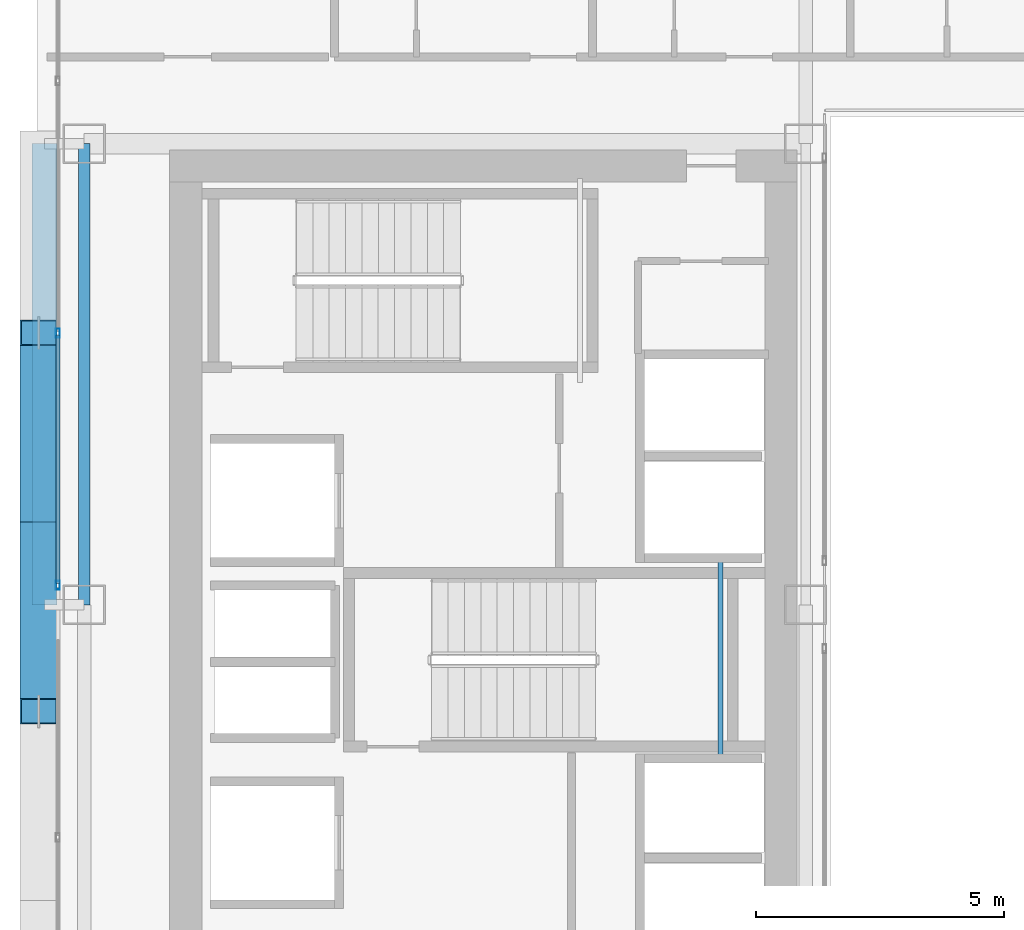
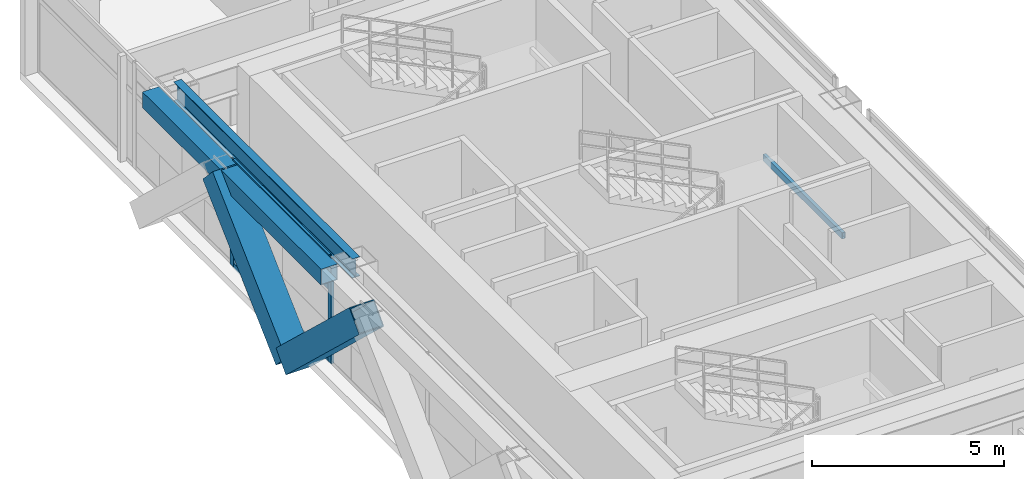
# One storey, part 9 of 39: 7 members, 3 beams, 1 element without a shape of its own.
"""IFC4 building model written with IfcOpenShell, lengths in metres."""

from ifc_helpers import new_model, si_unit, direction, frame, origin, origin_2d, place, context, subcontext, project, spatial, hollow_rectangle, i_section, extrude, source, transform, mapped, material, layer, layer_set, material_profile, profile_set, type_object, element, aggregate, save


model = new_model("IFC4")

# Units and contexts
model_context = context("Model", 3, precision=1e-05, world=origin(), true_north=direction((0.0, 1.0)))
body_context = subcontext(model_context, "Body", "Model", "MODEL_VIEW")
ifc_project = project(units=[si_unit("LENGTHUNIT", "METRE"), si_unit("AREAUNIT", "SQUARE_METRE"), si_unit("VOLUMEUNIT", "CUBIC_METRE"), si_unit("PLANEANGLEUNIT", "RADIAN"), si_unit("MASSUNIT", "GRAM", prefix="KILO")], contexts=[model_context])

# Site, building, storey
site_placement = place(None, origin())
site = spatial("IfcSite", under=ifc_project, at=site_placement, CompositionType="ELEMENT")
building_placement = place(site_placement, origin())
building = spatial("IfcBuilding", under=site, at=building_placement, Name="Ocotamira Hotel", CompositionType="ELEMENT")
storey_placement = place(building_placement, frame((0.0, 0.0, 104.39990234375)))
storey = spatial("IfcBuildingStorey", under=building, at=storey_placement, Name="L25", CompositionType="ELEMENT", Elevation=104.39990234375)

# Beams
ifc_material_1 = material(Name="Steel ASTM A500 Grade C", Category="steel")
ifc_material_profile_1 = material_profile(ifc_material_1, hollow_rectangle(XDim=0.10009765625, YDim=0.199951171875, WallThickness=0.008056640625, at=origin_2d()), Name="HSS200X100X8")
ifc_profile_set_1 = profile_set([ifc_material_profile_1], Name="Steel ASTM A500 Grade C")
beam_type_1 = type_object("IfcBeamType", Name="BM-STLDG-HSS200", PredefinedType="BEAM", material=ifc_profile_set_1)
shared_shape_1 = source(origin(), body_context, "Body", "SweptSolid", [
    extrude(hollow_rectangle(XDim=0.10009765625, YDim=0.199951171875, WallThickness=0.008056640625, at=origin_2d()), origin(), (0.0, 0.0, 1.0), 4.1201171875),
])
beam_1_placement = place(storey_placement, frame((21.780029296875, 24.97998046875, 1.5), z_axis=(0.0, 1.0, 0.0), x_axis=(-1.0, 0.0, 0.0)))
element("IfcBeam", 1, at=beam_1_placement, inside=storey, type_object=beam_type_1, Name="L25 Stair ST-3 Landing Bearer 1", PredefinedType="BEAM", context=body_context, shape_type="MappedRepresentation", body=[
    mapped(shared_shape_1, transform((0.0, 0.0, 0.0), scale=1.0)),
])
ifc_material_2 = material(Name="Steel ASTM A992 Grade 50", Category="steel")
ifc_material_profile_2 = material_profile(ifc_material_2, i_section(OverallWidth=0.22998046875, OverallDepth=0.616943359375, WebThickness=0.01318359375, FlangeThickness=0.022216796875, FilletRadius=0.012939453125, at=origin_2d()), Name="W24X94")
ifc_profile_set_2 = profile_set([ifc_material_profile_2], Name="Steel ASTM A992 Grade 50")
beam_type_2 = type_object("IfcBeamType", Name="BM-PRIM-W24X94", PredefinedType="BEAM", material=ifc_profile_set_2)
shared_shape_2 = source(origin(), body_context, "Body", "SweptSolid", [
    extrude(i_section(OverallWidth=0.22998046875, OverallDepth=0.616943359375, WebThickness=0.01318359375, FlangeThickness=0.022216796875, FilletRadius=0.012939453125, at=origin_2d()), origin(), (0.0, 0.0, 1.0), 9.300048828125),
])
beam_2_placement = place(storey_placement, frame((8.949951171875, 28.14990234375, 3.051513671875), z_axis=(0.0, 1.0, 0.0), x_axis=(-1.0, 0.0, 0.0)))
element("IfcBeam", 2, at=beam_2_placement, inside=storey, type_object=beam_type_2, Name="L25 Beam X8.95 Y28.15-37.45", PredefinedType="BEAM", context=body_context, shape_type="MappedRepresentation", body=[
    mapped(shared_shape_2, transform((0.0, 0.0, 0.0), scale=1.0)),
])
ifc_material_profile_3 = material_profile(ifc_material_1, hollow_rectangle(XDim=0.5, YDim=0.5, WallThickness=0.02001953125, at=origin_2d()), Name="HSS500X500X20")
ifc_profile_set_3 = profile_set([ifc_material_profile_3], Name="Steel ASTM A500 Grade C")
beam_type_3 = type_object("IfcBeamType", Name="BM-SPAN-HSS500", PredefinedType="USERDEFINED", material=ifc_profile_set_3)
shared_shape_3 = source(origin(), body_context, "Body", "SweptSolid", [
    extrude(hollow_rectangle(XDim=0.5, YDim=0.5, WallThickness=0.02001953125, at=origin_2d()), origin(), (0.0, 0.0, 1.0), 9.300048828125),
])
beam_3_placement = place(storey_placement, frame((8.14990234375, 28.14990234375, 3.110107421875), z_axis=(0.0, 1.0, 0.0), x_axis=(-1.0, 0.0, 0.0)))
element("IfcBeam", 3, at=beam_3_placement, inside=storey, type_object=beam_type_3, Name="L25 Edge Spandrel W Y28.15-37.45", ObjectType="SPANDREL", PredefinedType="USERDEFINED", context=body_context, shape_type="MappedRepresentation", body=[
    mapped(shared_shape_3, transform((0.0, 0.0, 0.0), scale=1.0)),
])

# Members
ifc_material_3 = material(Name="Pale-metal coated steel ASTM A913 Grade 65", Category="steel")
ifc_material_profile_4 = material_profile(ifc_material_3, hollow_rectangle(XDim=0.75, YDim=0.75, WallThickness=0.028076171875, at=origin_2d()), Name="BOX750X750X28")
ifc_profile_set_4 = profile_set([ifc_material_profile_4], Name="Pale-metal coated steel ASTM A913 Grade 65")
member_type_1 = type_object("IfcMemberType", Name="MEM-EXO-BOX750", PredefinedType="BRACE", material=ifc_profile_set_4)
shared_shape_4 = source(origin(), body_context, "Body", "SweptSolid", [
    extrude(hollow_rectangle(XDim=0.75, YDim=0.75, WallThickness=0.028076171875, at=origin_2d()), origin(), (0.0, 0.0, 1.0), 5.24658203125),
])
for number, where, z_axis, x_axis, name in (
    (4, (8.030029296875, 29.816650390625, -0.489990234375), (0.0, -0.727442733726, 0.686168397078), (1.0, 0.0, 0.0), "L25 Exoskeleton Diagrid W1.2"),
    (5, (8.030029296875, 29.816650390625, -0.489990234375), (0.0, 0.727442733726, 0.686168397078), (-1.0, 0.0, 0.0), "L25 Exoskeleton Diagrid W2.1"),
):
    element("IfcMember", number, at=place(storey_placement, frame(where, z_axis=z_axis, x_axis=x_axis)), inside=storey, type_object=member_type_1, Name=name, PredefinedType="BRACE", context=body_context, shape_type="MappedRepresentation", body=[
        mapped(shared_shape_4, transform((0.0, 0.0, 0.0), scale=1.0)),
    ])

# Curtain wall, members
ifc_material_4 = material(Name="Anodised pale-metal aluminium and solar glass", Category="aluminium")
ifc_layer = layer(ifc_material_4, 0.179931640625)
ifc_layer_set = layer_set([ifc_layer], Name="Anodised pale-metal aluminium and solar glass")
curtain_wall_type = type_object("IfcCurtainWallType", Name="CW-SYS3-Z2", PredefinedType="NOTDEFINED", material=ifc_layer_set)
curtain_wall_placement = place(storey_placement, origin())
curtain_wall = element("IfcCurtainWall", 6, at=curtain_wall_placement, inside=storey, type_object=curtain_wall_type, Name="L25 Curtain Wall CW-3 CW-L25-W", PredefinedType="NOTDEFINED")
ifc_material_5 = material(Name="Anodised pale-metal aluminium 6063-T6", Category="aluminium")
ifc_material_profile_5 = material_profile(ifc_material_5, hollow_rectangle(XDim=0.074951171875, YDim=0.14990234375, WallThickness=0.006103515625, at=origin_2d()), Name="HSS150X75X6")
ifc_profile_set_5 = profile_set([ifc_material_profile_5], Name="Anodised pale-metal aluminium 6063-T6")
member_type_2 = type_object("IfcMemberType", Name="CWT-150X75", PredefinedType="USERDEFINED", material=ifc_profile_set_5)
shared_shape_5 = source(origin(), body_context, "Body", "SweptSolid", [
    extrude(hollow_rectangle(XDim=0.074951171875, YDim=0.14990234375, WallThickness=0.006103515625, at=origin_2d()), origin(), (0.0, 0.0, 1.0), 5.005859375),
])
member_1_placement = place(storey_placement, frame((8.419921875, 28.582763671875, 0.03759765625), z_axis=(0.0, 1.0, 0.0), x_axis=(-1.0, 0.0, 0.0)))
member_1 = element("IfcMember", 7, at=member_1_placement, type_object=member_type_2, Name="CW-3 transom 5.1", ObjectType="TRANSOM", PredefinedType="USERDEFINED", context=body_context, shape_type="MappedRepresentation", body=[
    mapped(shared_shape_5, transform((0.0, 0.0, 0.0), scale=1.0)),
])
member_2_placement = place(storey_placement, frame((8.419921875, 28.582763671875, 2.35009765625), z_axis=(0.0, 1.0, 0.0), x_axis=(-1.0, 0.0, 0.0)))
member_2 = element("IfcMember", 8, at=member_2_placement, type_object=member_type_2, Name="CW-3 transom 5.2", ObjectType="TRANSOM", PredefinedType="USERDEFINED", context=body_context, shape_type="MappedRepresentation", body=[
    mapped(shared_shape_5, transform((0.0, 0.0, 0.0), scale=1.0)),
])
member_3_placement = place(storey_placement, frame((8.419921875, 28.582763671875, 3.322509765625), z_axis=(0.0, 1.0, 0.0), x_axis=(-1.0, 0.0, 0.0)))
member_3 = element("IfcMember", 9, at=member_3_placement, type_object=member_type_2, Name="CW-3 transom 5.3", ObjectType="TRANSOM", PredefinedType="USERDEFINED", context=body_context, shape_type="MappedRepresentation", body=[
    mapped(shared_shape_5, transform((0.0, 0.0, 0.0), scale=1.0)),
])
ifc_material_profile_6 = material_profile(ifc_material_5, hollow_rectangle(XDim=0.080078125, YDim=0.179931640625, WallThickness=0.006103515625, at=origin_2d()), Name="HSS180X80X6")
ifc_profile_set_6 = profile_set([ifc_material_profile_6], Name="Anodised pale-metal aluminium 6063-T6")
member_type_3 = type_object("IfcMemberType", Name="CWM-180X75", PredefinedType="MULLION", material=ifc_profile_set_6)
shared_shape_6 = source(origin(), body_context, "Body", "SweptSolid", [
    extrude(hollow_rectangle(XDim=0.080078125, YDim=0.179931640625, WallThickness=0.006103515625, at=origin_2d()), origin(), (0.0, 0.0, 1.0), 3.360107421875),
])
member_4_placement = place(storey_placement, frame((8.419921875, 28.54296875, 0.0), z_axis=(0.0, 0.0, 1.0), x_axis=(-1.0, 0.0, 0.0)))
member_4 = element("IfcMember", 10, at=member_4_placement, type_object=member_type_3, Name="CW-3 mullion 5", PredefinedType="MULLION", context=body_context, shape_type="MappedRepresentation", body=[
    mapped(shared_shape_6, transform((0.0, 0.0, 0.0), scale=1.0)),
])
member_5_placement = place(storey_placement, frame((8.419921875, 33.628662109375, 0.0), z_axis=(0.0, 0.0, 1.0), x_axis=(-1.0, 0.0, 0.0)))
member_5 = element("IfcMember", 11, at=member_5_placement, type_object=member_type_3, Name="CW-3 mullion 6", PredefinedType="MULLION", context=body_context, shape_type="MappedRepresentation", body=[
    mapped(shared_shape_6, transform((0.0, 0.0, 0.0), scale=1.0)),
])
aggregate(curtain_wall, [member_4, member_5, member_1, member_2, member_3])

save(model, "model.ifc")
